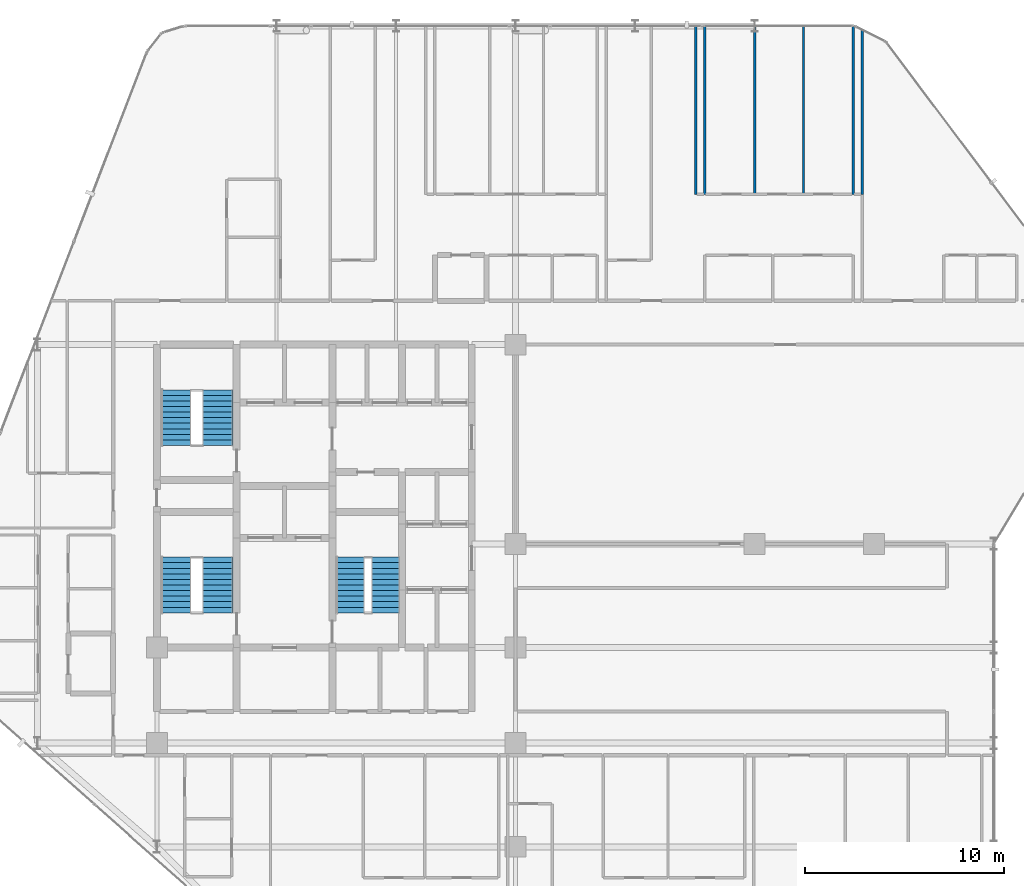
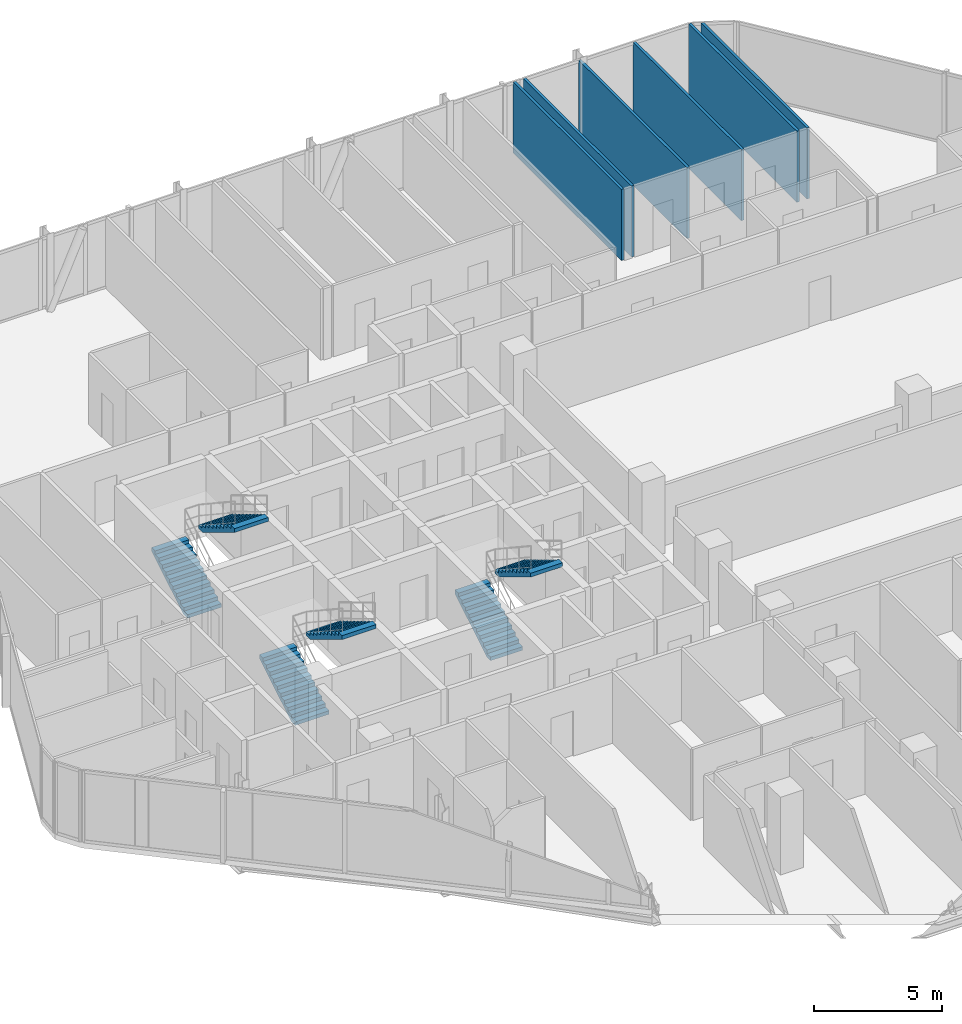
# One storey, part 28 of 29: 6 stair flights, 6 walls, 3 elements without a shape of their own.
"""IFC4 building model written with IfcOpenShell, lengths in metres."""

from ifc_helpers import new_model, si_unit, direction, frame, frame_2d, origin, place, context, subcontext, project, spatial, polyline, rectangle, outline, extrude, material, layer, layer_set, type_object, element, aggregate, save


model = new_model("IFC4")

# Units and contexts
model_context = context("Model", 3, precision=1e-05, world=origin(), true_north=direction((0.0, 1.0)))
body_context = subcontext(model_context, "Body", "Model", "MODEL_VIEW")
ifc_project = project(units=[si_unit("LENGTHUNIT", "METRE"), si_unit("AREAUNIT", "SQUARE_METRE"), si_unit("VOLUMEUNIT", "CUBIC_METRE"), si_unit("PLANEANGLEUNIT", "RADIAN"), si_unit("MASSUNIT", "GRAM", prefix="KILO")], contexts=[model_context])

# Site, building, storey
site_placement = place(None, origin())
site = spatial("IfcSite", under=ifc_project, at=site_placement, CompositionType="ELEMENT")
building_placement = place(site_placement, origin())
building = spatial("IfcBuilding", under=site, at=building_placement, Name="Keshet Zoharim Tower", CompositionType="ELEMENT")
storey_placement = place(building_placement, frame((0.0, 0.0, 94.60009765625)))
storey = spatial("IfcBuildingStorey", under=building, at=storey_placement, Name="L22", CompositionType="ELEMENT", Elevation=94.60009765625)

# Walls
ifc_material_1 = material(Name="Gypsum Plasterboard", Category="gypsum")
ifc_layer = layer(ifc_material_1, 0.1201171875)
ifc_layer_set = layer_set([ifc_layer], Name="Gypsum Plasterboard")
wall_type = type_object("IfcWallType", Name="WL-PART-120", PredefinedType="PARTITIONING", material=ifc_layer_set)
for number, where, z_axis, x_axis, name in (
    (1, (42.050048828125, 45.449951171875, 0.0), (0.0, 0.0, 1.0), (0.0, 1.0, 0.0), "L22 Interior Wall 091"),
    (2, (42.5, 45.449951171875, 0.0), (0.0, 0.0, 1.0), (0.0, 1.0, 0.0), "L22 Interior Wall 094"),
    (3, (45.0, 45.449951171875, 0.0), (0.0, 0.0, 1.0), (0.0, 1.0, 0.0), "L22 Interior Wall 098"),
    (4, (47.449951171875, 45.449951171875, 0.0), (0.0, 0.0, 1.0), (0.0, 1.0, 0.0), "L22 Interior Wall 100"),
    (5, (49.949951171875, 45.449951171875, 0.0), (0.0, 0.0, 1.0), (0.0, 1.0, 0.0), "L22 Interior Wall 105"),
):
    element("IfcWall", number, at=place(storey_placement, frame(where, z_axis=z_axis, x_axis=x_axis)), inside=storey, type_object=wall_type, Name=name, PredefinedType="PARTITIONING", context=body_context, shape_type="SweptSolid", body=[
        extrude(rectangle(XDim=8.43994140625, YDim=0.1201171875, at=frame_2d((4.219970703125, 0.0))), origin(), (0.0, 0.0, 1.0), 3.385009765625),
    ])
wall_placement = place(storey_placement, frame((50.39990234375, 45.449951171875, 0.0), z_axis=(0.0, 0.0, 1.0), x_axis=(0.0, 1.0, 0.0)))
element("IfcWall", 6, at=wall_placement, inside=storey, type_object=wall_type, Name="L22 Interior Wall 107", PredefinedType="PARTITIONING", context=body_context, shape_type="SweptSolid", body=[
    extrude(rectangle(XDim=8.239990234375, YDim=0.1201171875, at=frame_2d((4.1201171875, 0.0))), origin(), (0.0, 0.0, 1.0), 3.385009765625),
])

# Stair, stair flights
ifc_material_2 = material(Name="Concrete C50/60", Category="concrete")
stair_type = type_object("IfcStairType", Name="STR-EXIT-135", PredefinedType="HALF_TURN_STAIR", material=ifc_material_2)
stair_1_placement = place(storey_placement, origin())
stair_1 = element("IfcStair", 7, at=stair_1_placement, inside=storey, type_object=stair_type, Name="L22 Enclosed Exit Stair ST-01", PredefinedType="HALF_TURN_STAIR")
stair_flight_type_1 = type_object("IfcStairFlightType", Name="FLT-PRE-135", PredefinedType="STRAIGHT", material=ifc_material_2)
stair_flight_1_placement = place(storey_placement, frame((15.945068359375, 24.43994140625, 0.0), z_axis=(0.0, 0.0, 1.0), x_axis=(0.0, 1.0, 0.0)))
stair_flight_1 = element("IfcStairFlight", 8, at=stair_flight_1_placement, type_object=stair_flight_type_1, Name="ST-01 flight 1", NumberOfRisers=11, NumberOfTreads=10, PredefinedType="STRAIGHT", RiserHeight=0.168182, TreadLength=0.28, context=body_context, shape_type="SweptSolid", body=[
    extrude(outline(polyline([(0.0, 0.0), (0.0, 0.168212890625), (0.280029296875, 0.168212890625), (0.280029296875, 0.33642578125), (0.56005859375, 0.33642578125), (0.56005859375, 0.504638671875), (0.840087890625, 0.504638671875), (0.840087890625, 0.672607421875), (1.1201171875, 0.672607421875), (1.1201171875, 0.8408203125), (1.39990234375, 0.8408203125), (1.39990234375, 1.009033203125), (1.679931640625, 1.009033203125), (1.679931640625, 1.17724609375), (1.9599609375, 1.17724609375), (1.9599609375, 1.345458984375), (2.239990234375, 1.345458984375), (2.239990234375, 1.513671875), (2.52001953125, 1.513671875), (2.52001953125, 1.681884765625), (2.800048828125, 1.681884765625), (2.800048828125, 1.85009765625), (2.800048828125, 1.495361328125), (0.310546875, 0.0), (0.0, 0.0)])), frame((0.0, 0.76513671875, 0.0), z_axis=(0.0, -1.0, 0.0), x_axis=(1.0, 0.0, 0.0)), (0.0, 0.0, 1.0), 1.530029296875),
])
stair_flight_2_placement = place(storey_placement, frame((18.054931640625, 27.239990234375, 1.849853515625), z_axis=(0.0, 0.0, 1.0), x_axis=(0.0, -1.0, 0.0)))
stair_flight_2 = element("IfcStairFlight", 9, at=stair_flight_2_placement, type_object=stair_flight_type_1, Name="ST-01 flight 2", NumberOfRisers=11, NumberOfTreads=10, PredefinedType="STRAIGHT", RiserHeight=0.168182, TreadLength=0.28, context=body_context, shape_type="SweptSolid", body=[
    extrude(outline(polyline([(0.0, 0.0), (0.0, 0.168212890625), (0.280029296875, 0.168212890625), (0.280029296875, 0.33642578125), (0.56005859375, 0.33642578125), (0.56005859375, 0.504638671875), (0.840087890625, 0.504638671875), (0.840087890625, 0.672607421875), (1.1201171875, 0.672607421875), (1.1201171875, 0.8408203125), (1.39990234375, 0.8408203125), (1.39990234375, 1.009033203125), (1.679931640625, 1.009033203125), (1.679931640625, 1.17724609375), (1.9599609375, 1.17724609375), (1.9599609375, 1.345458984375), (2.239990234375, 1.345458984375), (2.239990234375, 1.513671875), (2.52001953125, 1.513671875), (2.52001953125, 1.681884765625), (2.800048828125, 1.681884765625), (2.800048828125, 1.85009765625), (2.800048828125, 1.495361328125), (0.310546875, 0.0), (0.0, 0.0)])), frame((0.0, 0.76513671875, 0.0), z_axis=(0.0, -1.0, 0.0), x_axis=(1.0, 0.0, 0.0)), (0.0, 0.0, 1.0), 1.530029296875),
])
aggregate(stair_1, [stair_flight_1, stair_flight_2])

stair_2_placement = place(storey_placement, origin())
stair_2 = element("IfcStair", 10, at=stair_2_placement, inside=storey, type_object=stair_type, Name="L22 Enclosed Exit Stair ST-02", PredefinedType="HALF_TURN_STAIR")
stair_flight_3_placement = place(storey_placement, frame((15.945068359375, 32.840087890625, 0.0), z_axis=(0.0, 0.0, 1.0), x_axis=(0.0, 1.0, 0.0)))
stair_flight_3 = element("IfcStairFlight", 11, at=stair_flight_3_placement, type_object=stair_flight_type_1, Name="ST-02 flight 1", NumberOfRisers=11, NumberOfTreads=10, PredefinedType="STRAIGHT", RiserHeight=0.168182, TreadLength=0.28, context=body_context, shape_type="SweptSolid", body=[
    extrude(outline(polyline([(0.0, 0.0), (0.0, 0.168212890625), (0.280029296875, 0.168212890625), (0.280029296875, 0.33642578125), (0.56005859375, 0.33642578125), (0.56005859375, 0.504638671875), (0.840087890625, 0.504638671875), (0.840087890625, 0.672607421875), (1.1201171875, 0.672607421875), (1.1201171875, 0.8408203125), (1.39990234375, 0.8408203125), (1.39990234375, 1.009033203125), (1.679931640625, 1.009033203125), (1.679931640625, 1.17724609375), (1.9599609375, 1.17724609375), (1.9599609375, 1.345458984375), (2.239990234375, 1.345458984375), (2.239990234375, 1.513671875), (2.52001953125, 1.513671875), (2.52001953125, 1.681884765625), (2.800048828125, 1.681884765625), (2.800048828125, 1.85009765625), (2.800048828125, 1.495361328125), (0.310546875, 0.0), (0.0, 0.0)])), frame((0.0, 0.76513671875, 0.0), z_axis=(0.0, -1.0, 0.0), x_axis=(1.0, 0.0, 0.0)), (0.0, 0.0, 1.0), 1.530029296875),
])
stair_flight_4_placement = place(storey_placement, frame((18.054931640625, 35.639892578125, 1.849853515625), z_axis=(0.0, 0.0, 1.0), x_axis=(0.0, -1.0, 0.0)))
stair_flight_4 = element("IfcStairFlight", 12, at=stair_flight_4_placement, type_object=stair_flight_type_1, Name="ST-02 flight 2", NumberOfRisers=11, NumberOfTreads=10, PredefinedType="STRAIGHT", RiserHeight=0.168182, TreadLength=0.28, context=body_context, shape_type="SweptSolid", body=[
    extrude(outline(polyline([(0.0, 0.0), (0.0, 0.168212890625), (0.280029296875, 0.168212890625), (0.280029296875, 0.33642578125), (0.56005859375, 0.33642578125), (0.56005859375, 0.504638671875), (0.840087890625, 0.504638671875), (0.840087890625, 0.672607421875), (1.1201171875, 0.672607421875), (1.1201171875, 0.8408203125), (1.39990234375, 0.8408203125), (1.39990234375, 1.009033203125), (1.679931640625, 1.009033203125), (1.679931640625, 1.17724609375), (1.9599609375, 1.17724609375), (1.9599609375, 1.345458984375), (2.239990234375, 1.345458984375), (2.239990234375, 1.513671875), (2.52001953125, 1.513671875), (2.52001953125, 1.681884765625), (2.800048828125, 1.681884765625), (2.800048828125, 1.85009765625), (2.800048828125, 1.495361328125), (0.310546875, 0.0), (0.0, 0.0)])), frame((0.0, 0.76513671875, 0.0), z_axis=(0.0, -1.0, 0.0), x_axis=(1.0, 0.0, 0.0)), (0.0, 0.0, 1.0), 1.530029296875),
])
aggregate(stair_2, [stair_flight_3, stair_flight_4])

stair_3_placement = place(storey_placement, origin())
stair_3 = element("IfcStair", 13, at=stair_3_placement, inside=storey, type_object=stair_type, Name="L22 Enclosed Exit Stair ST-03", PredefinedType="HALF_TURN_STAIR")
stair_flight_type_2 = type_object("IfcStairFlightType", Name="FLT-PRE-144", PredefinedType="STRAIGHT", material=ifc_material_2)
stair_flight_5_placement = place(storey_placement, frame((24.699951171875, 24.43994140625, 0.0), z_axis=(0.0, 0.0, 1.0), x_axis=(0.0, 1.0, 0.0)))
stair_flight_5 = element("IfcStairFlight", 14, at=stair_flight_5_placement, type_object=stair_flight_type_2, Name="ST-03 flight 1", NumberOfRisers=11, NumberOfTreads=10, PredefinedType="STRAIGHT", RiserHeight=0.168182, TreadLength=0.28, context=body_context, shape_type="SweptSolid", body=[
    extrude(outline(polyline([(0.0, 0.0), (0.0, 0.168212890625), (0.280029296875, 0.168212890625), (0.280029296875, 0.33642578125), (0.56005859375, 0.33642578125), (0.56005859375, 0.504638671875), (0.840087890625, 0.504638671875), (0.840087890625, 0.672607421875), (1.1201171875, 0.672607421875), (1.1201171875, 0.8408203125), (1.39990234375, 0.8408203125), (1.39990234375, 1.009033203125), (1.679931640625, 1.009033203125), (1.679931640625, 1.17724609375), (1.9599609375, 1.17724609375), (1.9599609375, 1.345458984375), (2.239990234375, 1.345458984375), (2.239990234375, 1.513671875), (2.52001953125, 1.513671875), (2.52001953125, 1.681884765625), (2.800048828125, 1.681884765625), (2.800048828125, 1.85009765625), (2.800048828125, 1.495361328125), (0.310546875, 0.0), (0.0, 0.0)])), frame((0.0, 0.719970703125, 0.0), z_axis=(0.0, -1.0, 0.0), x_axis=(1.0, 0.0, 0.0)), (0.0, 0.0, 1.0), 1.43994140625),
])
stair_flight_6_placement = place(storey_placement, frame((26.5, 27.239990234375, 1.849853515625), z_axis=(0.0, 0.0, 1.0), x_axis=(0.0, -1.0, 0.0)))
stair_flight_6 = element("IfcStairFlight", 15, at=stair_flight_6_placement, type_object=stair_flight_type_2, Name="ST-03 flight 2", NumberOfRisers=11, NumberOfTreads=10, PredefinedType="STRAIGHT", RiserHeight=0.168182, TreadLength=0.28, context=body_context, shape_type="SweptSolid", body=[
    extrude(outline(polyline([(0.0, 0.0), (0.0, 0.168212890625), (0.280029296875, 0.168212890625), (0.280029296875, 0.33642578125), (0.56005859375, 0.33642578125), (0.56005859375, 0.504638671875), (0.840087890625, 0.504638671875), (0.840087890625, 0.672607421875), (1.1201171875, 0.672607421875), (1.1201171875, 0.8408203125), (1.39990234375, 0.8408203125), (1.39990234375, 1.009033203125), (1.679931640625, 1.009033203125), (1.679931640625, 1.17724609375), (1.9599609375, 1.17724609375), (1.9599609375, 1.345458984375), (2.239990234375, 1.345458984375), (2.239990234375, 1.513671875), (2.52001953125, 1.513671875), (2.52001953125, 1.681884765625), (2.800048828125, 1.681884765625), (2.800048828125, 1.85009765625), (2.800048828125, 1.495361328125), (0.310546875, 0.0), (0.0, 0.0)])), frame((0.0, 0.719970703125, 0.0), z_axis=(0.0, -1.0, 0.0), x_axis=(1.0, 0.0, 0.0)), (0.0, 0.0, 1.0), 1.43994140625),
])
aggregate(stair_3, [stair_flight_5, stair_flight_6])

save(model, "model.ifc")
